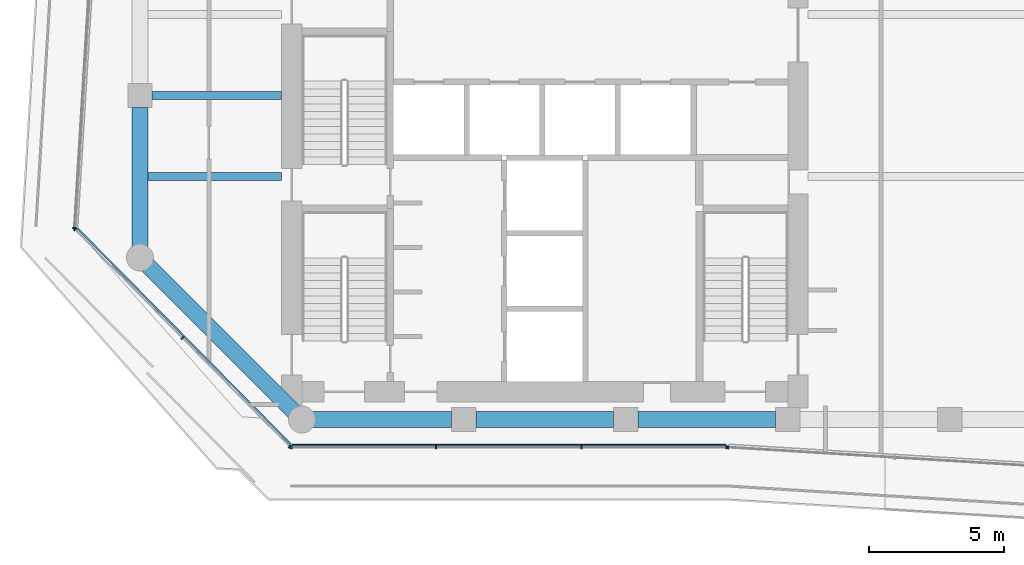
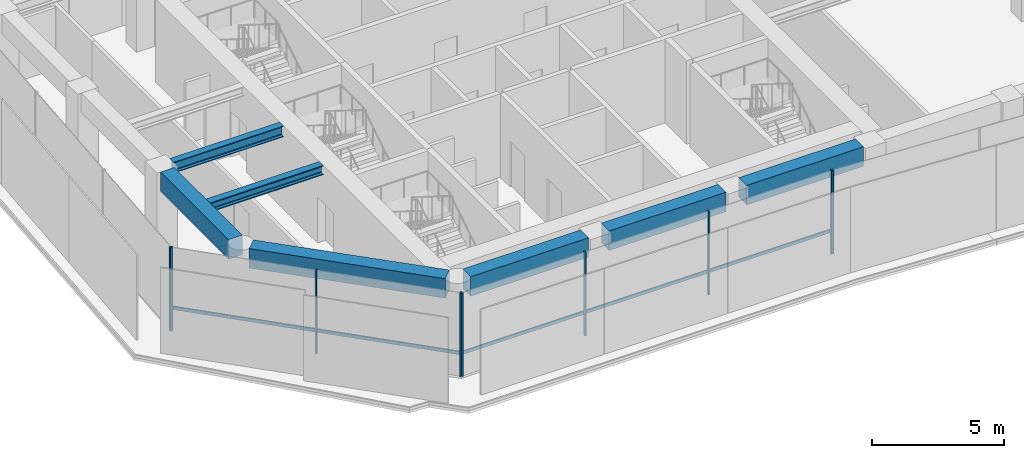
# One storey, part 2 of 24: 11 members, 7 beams, 4 elements without a shape of their own.
"""IFC4 building model written with IfcOpenShell, lengths in metres."""

import ifcopenshell
import ifcopenshell.guid

model = None  # the IFC model being written
_history = None  # IfcOwnerHistory: only IFC2X3 demands one
_inside = {}  # id of a spatial element -> (the spatial element, [elements in it])
_under = {}  # id of a project, library or spatial element -> (it, [spatial elements below it])
_declared = {}  # id of a project -> (the project, [libraries it declares])
_typed = {}  # id of a type object -> (the type object, [elements of that type])
_made_of = {}  # id of a material, layer set ... -> (it, [elements and type objects made of it])


def new_model(schema):
    """Start an empty IFC model of exactly this schema.

    Asked for "IFC4X3", IfcOpenShell would pick the latest addendum, in which some entities
    have other attributes; the version numbers below select the first issue.
    IFC2X3 requires an IfcOwnerHistory on every rooted entity: one is made here for all.
    """
    global model, _history
    if schema == "IFC4X3":
        model = ifcopenshell.file(schema_version=(4, 3, 0, 0))
    else:
        model = ifcopenshell.file(schema=schema)
    _inside.clear()
    _under.clear()
    _declared.clear()
    _typed.clear()
    _made_of.clear()
    _history = None
    if model.schema == "IFC2X3":
        org = make("IfcOrganization", Name="unknown")
        user = make(
            "IfcPersonAndOrganization",
            ThePerson=make("IfcPerson", FamilyName="unknown"),
            TheOrganization=org,
        )
        app = make(
            "IfcApplication",
            ApplicationDeveloper=org,
            Version="unknown",
            ApplicationFullName="unknown",
            ApplicationIdentifier="unknown",
        )
        _history = make(
            "IfcOwnerHistory",
            OwningUser=user,
            OwningApplication=app,
            ChangeAction="ADDED",
            CreationDate=0,
        )
    return model


def make(cls, **values):
    """One entity of the class cls with the attributes given. An attribute that is None is left unset."""
    return model.create_entity(
        cls, **{name: value for name, value in values.items() if value is not None}
    )


def rooted(cls, **values):
    """An entity with a GlobalId (a new one), such as an element, a storey or a relation."""
    return make(cls, GlobalId=ifcopenshell.guid.new(), OwnerHistory=_history, **values)


def si_unit(unit_type, name, prefix=None):
    """IfcSIUnit, for example si_unit("LENGTHUNIT", "METRE", prefix="MILLI")."""
    return make("IfcSIUnit", UnitType=unit_type, Prefix=prefix, Name=name)


def assignment(units):
    """IfcUnitAssignment: the units of a project."""
    return None if units is None else make("IfcUnitAssignment", Units=units)


def point(xyz):
    """IfcCartesianPoint."""
    return None if xyz is None else make("IfcCartesianPoint", Coordinates=xyz)


def direction(xyz):
    """IfcDirection."""
    return None if xyz is None else make("IfcDirection", DirectionRatios=xyz)


def frame(location, z_axis=None, x_axis=None):
    """IfcAxis2Placement3D, a coordinate frame: its origin and axes. An axis left out is left unset."""
    return make(
        "IfcAxis2Placement3D",
        Location=point(location),
        Axis=direction(z_axis),
        RefDirection=direction(x_axis),
    )


def frame_2d(location, x_axis=None):
    """IfcAxis2Placement2D, a coordinate frame in the plane: its origin and x axis."""
    return make(
        "IfcAxis2Placement2D", Location=point(location), RefDirection=direction(x_axis)
    )


def origin():
    """The frame at (0, 0, 0) with its axes left unset."""
    return frame((0.0, 0.0, 0.0))


def origin_2d():
    """The frame at (0, 0) in the plane with its x axis left unset."""
    return frame_2d((0.0, 0.0))


def place(relative_to, where):
    """IfcLocalPlacement: puts the frame where relative to a parent placement (None: the world)."""
    return make(
        "IfcLocalPlacement", PlacementRelTo=relative_to, RelativePlacement=where
    )


def context(
    kind, dimensions, precision=None, world=None, true_north=None, identifier=None
):
    """IfcGeometricRepresentationContext, for example the 3D "Model" context."""
    return make(
        "IfcGeometricRepresentationContext",
        ContextIdentifier=identifier,
        ContextType=kind,
        CoordinateSpaceDimension=dimensions,
        Precision=precision,
        WorldCoordinateSystem=world,
        TrueNorth=true_north,
    )


def subcontext(parent, identifier, kind, view, scale=None):
    """IfcGeometricRepresentationSubContext, for example "Body" below "Model"."""
    return make(
        "IfcGeometricRepresentationSubContext",
        ContextIdentifier=identifier,
        ContextType=kind,
        ParentContext=parent,
        TargetScale=scale,
        TargetView=view,
    )


def project(units=None, contexts=None):
    """IfcProject with its units and contexts."""
    return rooted(
        "IfcProject",
        Name="project",
        RepresentationContexts=contexts,
        UnitsInContext=assignment(units),
    )


def spatial(cls, under=None, at=None, **own):
    """A site, building, storey or space (cls), placed at a placement, below another one or the project."""
    s = rooted(cls, ObjectPlacement=at, **own)
    if under is not None:
        _under.setdefault(under.id(), (under, []))[1].append(s)
    return s


def profile(cls, at=None, kind="AREA", **sizes):
    """A parametric profile (cls). Its sizes go by their IFC names, for example OverallWidth=200.0."""
    return make(cls, ProfileType=kind, Position=at, **sizes)


def rectangle(**sizes):
    """IfcRectangleProfileDef."""
    return profile("IfcRectangleProfileDef", **sizes)


def i_section(**sizes):
    """IfcIShapeProfileDef."""
    return profile("IfcIShapeProfileDef", **sizes)


def extrude(swept, where, along, depth):
    """IfcExtrudedAreaSolid: the profile swept, set in the frame where, extruded along a direction by depth."""
    return make(
        "IfcExtrudedAreaSolid",
        SweptArea=swept,
        Position=where,
        ExtrudedDirection=direction(along),
        Depth=depth,
    )


def shape(context_of_items, identifier, shape_type, items):
    """IfcShapeRepresentation: the items that make up one representation, for example the "Body"."""
    return make(
        "IfcShapeRepresentation",
        ContextOfItems=context_of_items,
        RepresentationIdentifier=identifier,
        RepresentationType=shape_type,
        Items=items,
    )


def material(Name=None, Category=None):
    """IfcMaterial."""
    return make("IfcMaterial", Name=Name, Category=Category)


def layer(
    of_material, thickness, ventilated=None, Name=None, Category=None, Priority=None
):
    """IfcMaterialLayer: one layer of a wall or slab, of a material (None: an air gap)."""
    return make(
        "IfcMaterialLayer",
        Material=of_material,
        LayerThickness=thickness,
        IsVentilated=ventilated,
        Name=Name,
        Category=Category,
        Priority=Priority,
    )


def layer_set(layers, Name=None):
    """IfcMaterialLayerSet."""
    return make("IfcMaterialLayerSet", MaterialLayers=layers, LayerSetName=Name)


def material_profile(
    of_material, cross_section, Name=None, Category=None, Priority=None
):
    """IfcMaterialProfile: a cross section and its material."""
    return make(
        "IfcMaterialProfile",
        Name=Name,
        Material=of_material,
        Profile=cross_section,
        Priority=Priority,
        Category=Category,
    )


def profile_set(profiles, Name=None, composite=None):
    """IfcMaterialProfileSet."""
    return make(
        "IfcMaterialProfileSet",
        Name=Name,
        MaterialProfiles=profiles,
        CompositeProfile=composite,
    )


def made_of(thing, what):
    """Note that an element or type object is made of a material, layer set ...; save() writes the relation."""
    if what is not None:
        _made_of.setdefault(what.id(), (what, []))[1].append(thing)
    return thing


def type_object(cls, material=None, **own):
    """A type object (cls), such as IfcWallType, which elements share."""
    return made_of(rooted(cls, **own), material)


def element(
    cls,
    number,
    at=None,
    inside=None,
    cuts=None,
    type_object=None,
    material=None,
    context=None,
    identifier="Body",
    shape_type=None,
    held_by="IfcProductDefinitionShape",
    body=None,
    shapes=None,
    **own,
):
    """One element of the class cls, such as IfcWall. Its Tag is "e" and its number.

    at: its placement. inside: the storey or other place that contains it. cuts: it is an
    opening in that element (IfcRelVoidsElement). A single representation is given by context,
    identifier, shape_type and body (its items); several are given by shapes. held_by: the class
    of the entity that holds the representations. save() writes the other relations.
    """
    e = rooted(cls, Tag="e%d" % number, ObjectPlacement=at, **own)
    if body is not None:
        shapes = [shape(context, identifier, shape_type, body)]
    if shapes is not None:
        e.Representation = make(held_by, Representations=shapes)
    if inside is not None:
        _inside.setdefault(inside.id(), (inside, []))[1].append(e)
    if cuts is not None:
        rooted(
            "IfcRelVoidsElement", RelatingBuildingElement=cuts, RelatedOpeningElement=e
        )
    if type_object is not None:
        _typed.setdefault(type_object.id(), (type_object, []))[1].append(e)
    return made_of(e, material)


def aggregate(whole, parts):
    """IfcRelAggregates: a whole, such as a stair, and the parts it consists of."""
    return rooted("IfcRelAggregates", RelatingObject=whole, RelatedObjects=parts)


def save(model, path):
    """Write the relations noted so far, then the file.

    IfcRelAggregates (storeys below a building ...), IfcRelContainedInSpatialStructure (elements
    in a storey), IfcRelDefinesByType, IfcRelAssociatesMaterial and IfcRelDeclares: one each for
    every whole, place, type object, material and project.
    """
    for whole, parts in _under.values():
        aggregate(whole, parts)
    for where, things in _inside.values():
        rooted(
            "IfcRelContainedInSpatialStructure",
            RelatedElements=things,
            RelatingStructure=where,
        )
    for kind, things in _typed.values():
        rooted("IfcRelDefinesByType", RelatedObjects=things, RelatingType=kind)
    for what, things in _made_of.values():
        rooted("IfcRelAssociatesMaterial", RelatedObjects=things, RelatingMaterial=what)
    for by, libraries in _declared.values():
        rooted("IfcRelDeclares", RelatingContext=by, RelatedDefinitions=libraries)
    model.write(path)


model = new_model("IFC4")

# Units and contexts
model_context = context("Model", 3, precision=1e-05, world=origin(), true_north=direction((0.0, 1.0)))
body_context = subcontext(model_context, "Body", "Model", "MODEL_VIEW")
ifc_project = project(units=[si_unit("LENGTHUNIT", "METRE"), si_unit("AREAUNIT", "SQUARE_METRE"), si_unit("VOLUMEUNIT", "CUBIC_METRE"), si_unit("PLANEANGLEUNIT", "RADIAN"), si_unit("MASSUNIT", "GRAM", prefix="KILO")], contexts=[model_context])

# Site, building, storey
site_placement = place(None, origin())
site = spatial("IfcSite", under=ifc_project, at=site_placement, CompositionType="ELEMENT")
building_placement = place(site_placement, origin())
building = spatial("IfcBuilding", under=site, at=building_placement, Name="Welwitschia Terrace Campus", CompositionType="ELEMENT")
storey_placement = place(building_placement, frame((0.0, 0.0, 125.60009765625)))
storey = spatial("IfcBuildingStorey", under=building, at=storey_placement, Name="L28", CompositionType="ELEMENT", Elevation=125.60009765625)

# Beam
ifc_material_1 = material(Name="Steel S355", Category="steel")
ifc_material_profile_1 = material_profile(ifc_material_1, i_section(OverallWidth=0.306884765625, OverallDepth=0.431884765625, WebThickness=0.02099609375, FlangeThickness=0.0400390625, FilletRadius=0.027099609375, at=origin_2d()))
ifc_profile_set_1 = profile_set([ifc_material_profile_1], Name="Steel S355")
beam_type_1 = type_object("IfcBeamType", Name="Interior girder HE 400 M", PredefinedType="BEAM", material=ifc_profile_set_1)
beam_1_placement = place(storey_placement, frame((-0.010009765625, 13.0, 3.6337890625), z_axis=(1.0, 0.0, 0.0), x_axis=(0.0, 1.0, 0.0)))
element("IfcBeam", 1, at=beam_1_placement, inside=storey, type_object=beam_type_1, Name="Girder GB3", PredefinedType="BEAM", context=body_context, shape_type="SweptSolid", body=[
    extrude(i_section(OverallWidth=0.306884765625, OverallDepth=0.431884765625, WebThickness=0.02099609375, FlangeThickness=0.0400390625, FilletRadius=0.027099609375, at=origin_2d()), origin(), (0.0, 0.0, 1.0), 5.259033203125),
])

# Curtain wall, member
ifc_material_2 = material(Name="Bronze anodised aluminium", Category="aluminium")
ifc_layer = layer(ifc_material_2, 0.1201171875)
ifc_layer_set = layer_set([ifc_layer], Name="Bronze anodised aluminium")
curtain_wall_type = type_object("IfcCurtainWallType", Name="Curtain wall CW2 tower 6000", PredefinedType="NOTDEFINED", material=ifc_layer_set)
curtain_wall_1_placement = place(storey_placement, origin())
curtain_wall_1 = element("IfcCurtainWall", 2, at=curtain_wall_1_placement, inside=storey, type_object=curtain_wall_type, Name="CW L28.0.0", PredefinedType="NOTDEFINED")
ifc_material_3 = material(Name="Bronze anodised aluminium", Category="aluminium")
ifc_material_profile_2 = material_profile(ifc_material_3, rectangle(XDim=0.1201171875, YDim=0.06005859375, at=origin_2d()))
ifc_profile_set_2 = profile_set([ifc_material_profile_2], Name="Bronze anodised aluminium")
member_type_1 = type_object("IfcMemberType", Name="Mullion 60x120", PredefinedType="MULLION", material=ifc_profile_set_2)
member_1_placement = place(storey_placement, frame((-2.425048828125, 11.0947265625, 0.0), z_axis=(0.0, 0.0, 1.0), x_axis=(0.998134798422, -0.061048539535, 0.0)))
member_1 = element("IfcMember", 3, at=member_1_placement, type_object=member_type_1, Name="Mullion L28.0.0.4", PredefinedType="MULLION", context=body_context, shape_type="SweptSolid", body=[
    extrude(rectangle(XDim=0.1201171875, YDim=0.06005859375, at=origin_2d()), origin(), (0.0, 0.0, 1.0), 3.849853515625),
])
aggregate(curtain_wall_1, [member_1])

# Curtain wall, members
curtain_wall_2_placement = place(storey_placement, origin())
curtain_wall_2 = element("IfcCurtainWall", 4, at=curtain_wall_2_placement, inside=storey, type_object=curtain_wall_type, Name="CW L28.1.0", PredefinedType="NOTDEFINED")
member_2_placement = place(storey_placement, frame((-2.40576171875, 11.04345703125, 0.0), z_axis=(0.0, 0.0, 1.0), x_axis=(0.711245499966, 0.702943695312, 0.0)))
member_2 = element("IfcMember", 5, at=member_2_placement, type_object=member_type_1, Name="Mullion L28.1.0.0", PredefinedType="MULLION", context=body_context, shape_type="SweptSolid", body=[
    extrude(rectangle(XDim=0.1201171875, YDim=0.06005859375, at=origin_2d()), origin(), (0.0, 0.0, 1.0), 3.849853515625),
])
member_3_placement = place(storey_placement, frame((1.5732421875, 7.017333984375, 0.0), z_axis=(0.0, 0.0, 1.0), x_axis=(0.711245499966, 0.702943695312, 0.0)))
member_3 = element("IfcMember", 6, at=member_3_placement, type_object=member_type_1, Name="Mullion L28.1.0.1", PredefinedType="MULLION", context=body_context, shape_type="SweptSolid", body=[
    extrude(rectangle(XDim=0.1201171875, YDim=0.06005859375, at=origin_2d()), origin(), (0.0, 0.0, 1.0), 3.849853515625),
])
member_4_placement = place(storey_placement, frame((5.55224609375, 2.991455078125, 0.0), z_axis=(0.0, 0.0, 1.0), x_axis=(0.711245499966, 0.702943695312, 0.0)))
member_4 = element("IfcMember", 7, at=member_4_placement, type_object=member_type_1, Name="Mullion L28.1.0.2", PredefinedType="MULLION", context=body_context, shape_type="SweptSolid", body=[
    extrude(rectangle(XDim=0.1201171875, YDim=0.06005859375, at=origin_2d()), origin(), (0.0, 0.0, 1.0), 3.849853515625),
])

curtain_wall_3_placement = place(storey_placement, origin())
curtain_wall_3 = element("IfcCurtainWall", 8, at=curtain_wall_3_placement, inside=storey, type_object=curtain_wall_type, Name="CW L28.2.0", PredefinedType="NOTDEFINED")
member_5_placement = place(storey_placement, frame((5.603271484375, 2.969970703125, 0.0), z_axis=(0.0, 0.0, 1.0), x_axis=(0.0, 1.0, 0.0)))
member_5 = element("IfcMember", 9, at=member_5_placement, type_object=member_type_1, Name="Mullion L28.2.0.0", PredefinedType="MULLION", context=body_context, shape_type="SweptSolid", body=[
    extrude(rectangle(XDim=0.1201171875, YDim=0.06005859375, at=origin_2d()), origin(), (0.0, 0.0, 1.0), 3.849853515625),
])
member_6_placement = place(storey_placement, frame((10.967529296875, 2.969970703125, 0.0), z_axis=(0.0, 0.0, 1.0), x_axis=(0.0, 1.0, 0.0)))
member_6 = element("IfcMember", 10, at=member_6_placement, type_object=member_type_1, Name="Mullion L28.2.0.1", PredefinedType="MULLION", context=body_context, shape_type="SweptSolid", body=[
    extrude(rectangle(XDim=0.1201171875, YDim=0.06005859375, at=origin_2d()), origin(), (0.0, 0.0, 1.0), 3.849853515625),
])
member_7_placement = place(storey_placement, frame((16.36181640625, 2.969970703125, 0.0), z_axis=(0.0, 0.0, 1.0), x_axis=(0.0, 1.0, 0.0)))
member_7 = element("IfcMember", 11, at=member_7_placement, type_object=member_type_1, Name="Mullion L28.2.0.2", PredefinedType="MULLION", context=body_context, shape_type="SweptSolid", body=[
    extrude(rectangle(XDim=0.1201171875, YDim=0.06005859375, at=origin_2d()), origin(), (0.0, 0.0, 1.0), 3.849853515625),
])
member_8_placement = place(storey_placement, frame((21.725830078125, 2.969970703125, 0.0), z_axis=(0.0, 0.0, 1.0), x_axis=(0.0, 1.0, 0.0)))
member_8 = element("IfcMember", 12, at=member_8_placement, type_object=member_type_1, Name="Mullion L28.2.0.3", PredefinedType="MULLION", context=body_context, shape_type="SweptSolid", body=[
    extrude(rectangle(XDim=0.1201171875, YDim=0.06005859375, at=origin_2d()), origin(), (0.0, 0.0, 1.0), 3.849853515625),
])

# Curtain wall, member
curtain_wall_4_placement = place(storey_placement, origin())
curtain_wall_4 = element("IfcCurtainWall", 13, at=curtain_wall_4_placement, inside=storey, type_object=curtain_wall_type, Name="CW L28.3.0", PredefinedType="NOTDEFINED")
member_9_placement = place(storey_placement, frame((21.785888671875, 2.96826171875, 0.0), z_axis=(0.0, 0.0, 1.0), x_axis=(0.061048539535, 0.998134798422, 0.0)))
member_9 = element("IfcMember", 14, at=member_9_placement, type_object=member_type_1, Name="Mullion L28.3.0.0", PredefinedType="MULLION", context=body_context, shape_type="SweptSolid", body=[
    extrude(rectangle(XDim=0.1201171875, YDim=0.06005859375, at=origin_2d()), origin(), (0.0, 0.0, 1.0), 3.849853515625),
])
aggregate(curtain_wall_4, [member_9])

# Beams
ifc_material_4 = material(Name="Steel S355", Category="steel")
ifc_material_profile_3 = material_profile(ifc_material_4, i_section(OverallWidth=0.300048828125, OverallDepth=0.5, WebThickness=0.014404296875, FlangeThickness=0.028076171875, FilletRadius=0.027099609375, at=origin_2d()))
ifc_profile_set_3 = profile_set([ifc_material_profile_3], Name="Steel S355")
beam_type_2 = type_object("IfcBeamType", Name="Primary beam HE 500 B", PredefinedType="BEAM", material=ifc_profile_set_3)
beam_2_placement = place(storey_placement, frame((0.450439453125, 16.0, 3.599853515625), z_axis=(1.0, 0.0, 0.0), x_axis=(0.0, 1.0, 0.0)))
element("IfcBeam", 15, at=beam_2_placement, inside=storey, type_object=beam_type_2, Name="Primary beam PB3", PredefinedType="BEAM", context=body_context, shape_type="SweptSolid", body=[
    extrude(i_section(OverallWidth=0.300048828125, OverallDepth=0.5, WebThickness=0.014404296875, FlangeThickness=0.028076171875, FilletRadius=0.027099609375, at=origin_2d()), origin(), (0.0, 0.0, 1.0), 4.799560546875),
])
ifc_material_5 = material(Name="Concrete C60/75", Category="concrete")
ifc_material_profile_4 = material_profile(ifc_material_5, rectangle(XDim=0.60009765625, YDim=0.89990234375, at=origin_2d()))
ifc_profile_set_4 = profile_set([ifc_material_profile_4], Name="Concrete C60/75")
beam_type_3 = type_object("IfcBeamType", Name="Ring spandrel 600x900", PredefinedType="SPANDREL", material=ifc_profile_set_4)
beam_3_placement = place(storey_placement, frame((0.283203125, 9.716796875, 3.39990234375), z_axis=(0.707106781187, -0.707106781187, 0.0), x_axis=(0.707106781187, 0.707106781187, 0.0)))
element("IfcBeam", 16, at=beam_3_placement, inside=storey, type_object=beam_type_3, Name="Spandrel SP2", PredefinedType="SPANDREL", context=body_context, shape_type="SweptSolid", body=[
    extrude(rectangle(XDim=0.60009765625, YDim=0.89990234375, at=origin_2d()), origin(), (0.0, 0.0, 1.0), 7.684326171875),
])
beam_4_placement = place(storey_placement, frame((6.400390625, 4.0, 3.39990234375), z_axis=(1.0, 0.0, 0.0), x_axis=(0.0, 1.0, 0.0)))
element("IfcBeam", 17, at=beam_4_placement, inside=storey, type_object=beam_type_3, Name="Spandrel SP2", PredefinedType="SPANDREL", context=body_context, shape_type="SweptSolid", body=[
    extrude(rectangle(XDim=0.60009765625, YDim=0.89990234375, at=origin_2d()), origin(), (0.0, 0.0, 1.0), 5.149169921875),
])
for number, where, z_axis, x_axis, name in (
    (18, (12.450439453125, 4.0, 3.39990234375), (1.0, 0.0, 0.0), (0.0, 1.0, 0.0), "Spandrel SP2"),
    (19, (18.450439453125, 4.0, 3.39990234375), (1.0, 0.0, 0.0), (0.0, 1.0, 0.0), "Spandrel SP2"),
):
    element("IfcBeam", number, at=place(storey_placement, frame(where, z_axis=z_axis, x_axis=x_axis)), inside=storey, type_object=beam_type_3, Name=name, PredefinedType="SPANDREL", context=body_context, shape_type="SweptSolid", body=[
        extrude(rectangle(XDim=0.60009765625, YDim=0.89990234375, at=origin_2d()), origin(), (0.0, 0.0, 1.0), 5.09912109375),
    ])
beam_5_placement = place(storey_placement, frame((0.0, 15.549560546875, 3.39990234375), z_axis=(0.0, -1.0, 0.0), x_axis=(1.0, 0.0, 0.0)))
element("IfcBeam", 20, at=beam_5_placement, inside=storey, type_object=beam_type_3, Name="Spandrel SP2", PredefinedType="SPANDREL", context=body_context, shape_type="SweptSolid", body=[
    extrude(rectangle(XDim=0.60009765625, YDim=0.89990234375, at=origin_2d()), origin(), (0.0, 0.0, 1.0), 5.149169921875),
])

# Member
ifc_material_6 = material(Name="Bronze anodised aluminium", Category="aluminium")
ifc_material_profile_5 = material_profile(ifc_material_6, rectangle(XDim=0.06005859375, YDim=0.14990234375, at=origin_2d()))
ifc_profile_set_5 = profile_set([ifc_material_profile_5], Name="Bronze anodised aluminium")
member_type_2 = type_object("IfcMemberType", Name="Transom 60x150", PredefinedType="USERDEFINED", material=ifc_profile_set_5)
member_10_placement = place(storey_placement, frame((-2.32080078125, 11.08544921875, 1.0), z_axis=(0.70294292863, -0.711246257697, 0.0), x_axis=(0.711246257697, 0.70294292863, 0.0)))
member_10 = element("IfcMember", 21, at=member_10_placement, type_object=member_type_2, Name="Transom L28.1.0", ObjectType="TRANSOM", PredefinedType="USERDEFINED", context=body_context, shape_type="SweptSolid", body=[
    extrude(rectangle(XDim=0.06005859375, YDim=0.14990234375, at=origin_2d()), origin(), (0.0, 0.0, 1.0), 11.26123046875),
])

aggregate(curtain_wall_2, [member_2, member_3, member_4, member_10])

member_11_placement = place(storey_placement, frame((5.63330078125, 3.06005859375, 1.0), z_axis=(1.0, 0.0, 0.0), x_axis=(0.0, 1.0, 0.0)))
member_11 = element("IfcMember", 22, at=member_11_placement, type_object=member_type_2, Name="Transom L28.2.0", ObjectType="TRANSOM", PredefinedType="USERDEFINED", context=body_context, shape_type="SweptSolid", body=[
    extrude(rectangle(XDim=0.06005859375, YDim=0.14990234375, at=origin_2d()), origin(), (0.0, 0.0, 1.0), 16.0625),
])

aggregate(curtain_wall_3, [member_5, member_6, member_7, member_8, member_11])

save(model, "model.ifc")
